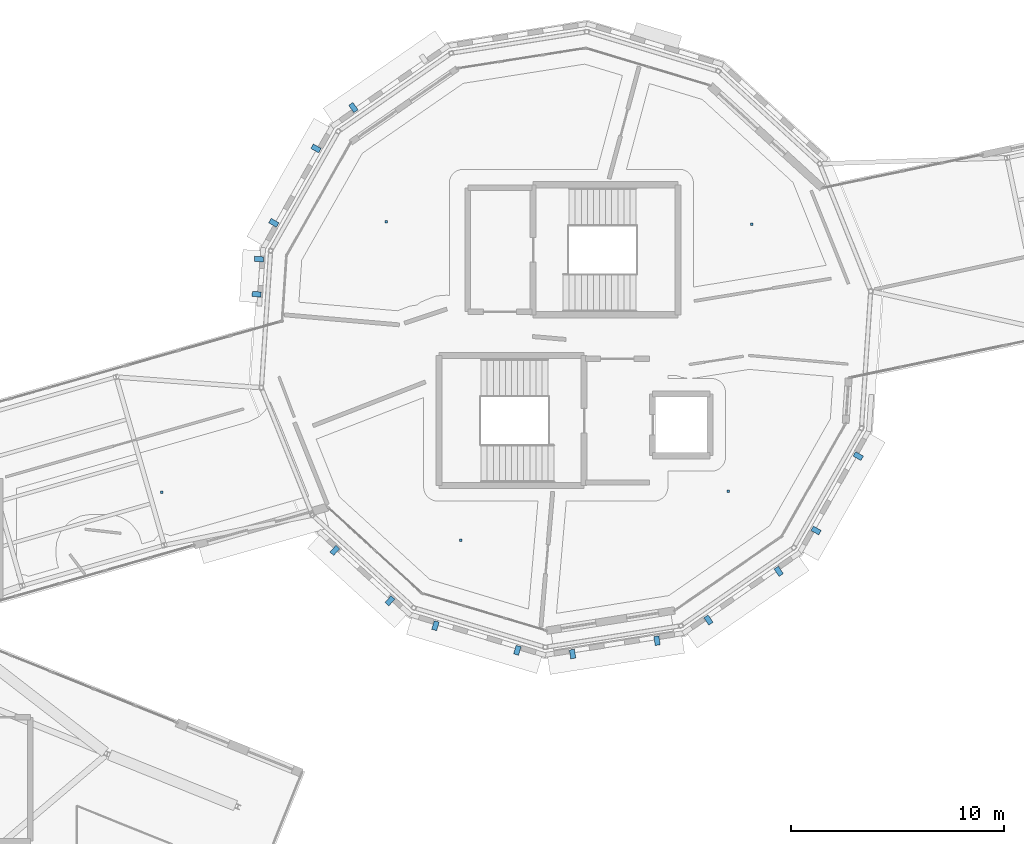
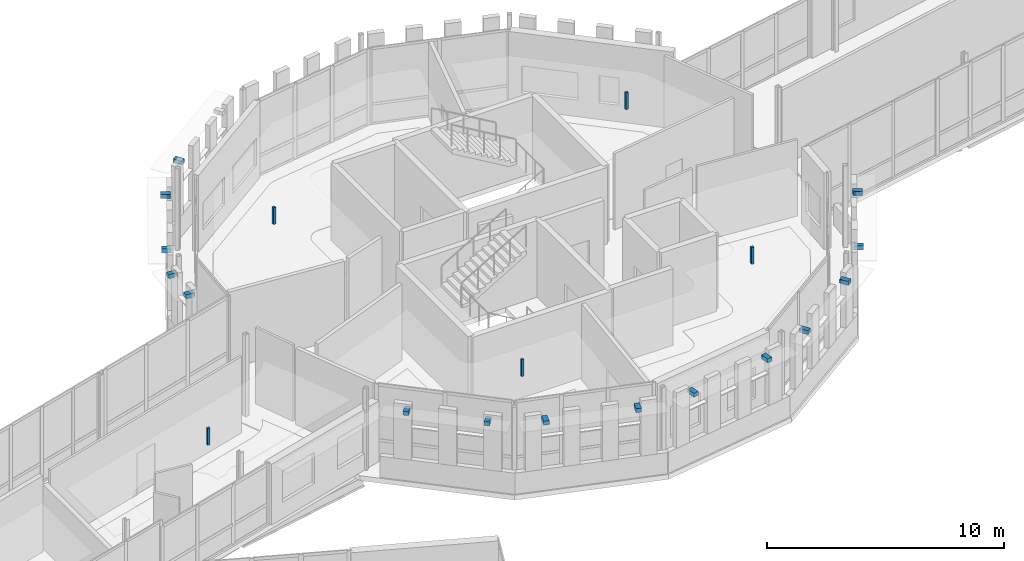
# One storey, part 110 of 125: 20 discrete accessories.
"""IFC4 building model written with IfcOpenShell, lengths in metres."""

import ifcopenshell
import ifcopenshell.guid

model = None  # the IFC model being written
_history = None  # IfcOwnerHistory: only IFC2X3 demands one
_inside = {}  # id of a spatial element -> (the spatial element, [elements in it])
_under = {}  # id of a project, library or spatial element -> (it, [spatial elements below it])
_declared = {}  # id of a project -> (the project, [libraries it declares])
_typed = {}  # id of a type object -> (the type object, [elements of that type])
_made_of = {}  # id of a material, layer set ... -> (it, [elements and type objects made of it])


def new_model(schema):
    """Start an empty IFC model of exactly this schema.

    Asked for "IFC4X3", IfcOpenShell would pick the latest addendum, in which some entities
    have other attributes; the version numbers below select the first issue.
    IFC2X3 requires an IfcOwnerHistory on every rooted entity: one is made here for all.
    """
    global model, _history
    if schema == "IFC4X3":
        model = ifcopenshell.file(schema_version=(4, 3, 0, 0))
    else:
        model = ifcopenshell.file(schema=schema)
    _inside.clear()
    _under.clear()
    _declared.clear()
    _typed.clear()
    _made_of.clear()
    _history = None
    if model.schema == "IFC2X3":
        org = make("IfcOrganization", Name="unknown")
        user = make(
            "IfcPersonAndOrganization",
            ThePerson=make("IfcPerson", FamilyName="unknown"),
            TheOrganization=org,
        )
        app = make(
            "IfcApplication",
            ApplicationDeveloper=org,
            Version="unknown",
            ApplicationFullName="unknown",
            ApplicationIdentifier="unknown",
        )
        _history = make(
            "IfcOwnerHistory",
            OwningUser=user,
            OwningApplication=app,
            ChangeAction="ADDED",
            CreationDate=0,
        )
    return model


def make(cls, **values):
    """One entity of the class cls with the attributes given. An attribute that is None is left unset."""
    return model.create_entity(
        cls, **{name: value for name, value in values.items() if value is not None}
    )


def rooted(cls, **values):
    """An entity with a GlobalId (a new one), such as an element, a storey or a relation."""
    return make(cls, GlobalId=ifcopenshell.guid.new(), OwnerHistory=_history, **values)


def si_unit(unit_type, name, prefix=None):
    """IfcSIUnit, for example si_unit("LENGTHUNIT", "METRE", prefix="MILLI")."""
    return make("IfcSIUnit", UnitType=unit_type, Prefix=prefix, Name=name)


def assignment(units):
    """IfcUnitAssignment: the units of a project."""
    return None if units is None else make("IfcUnitAssignment", Units=units)


def point(xyz):
    """IfcCartesianPoint."""
    return None if xyz is None else make("IfcCartesianPoint", Coordinates=xyz)


def direction(xyz):
    """IfcDirection."""
    return None if xyz is None else make("IfcDirection", DirectionRatios=xyz)


def frame(location, z_axis=None, x_axis=None):
    """IfcAxis2Placement3D, a coordinate frame: its origin and axes. An axis left out is left unset."""
    return make(
        "IfcAxis2Placement3D",
        Location=point(location),
        Axis=direction(z_axis),
        RefDirection=direction(x_axis),
    )


def frame_2d(location, x_axis=None):
    """IfcAxis2Placement2D, a coordinate frame in the plane: its origin and x axis."""
    return make(
        "IfcAxis2Placement2D", Location=point(location), RefDirection=direction(x_axis)
    )


def origin():
    """The frame at (0, 0, 0) with its axes left unset."""
    return frame((0.0, 0.0, 0.0))


def origin_2d():
    """The frame at (0, 0) in the plane with its x axis left unset."""
    return frame_2d((0.0, 0.0))


def place(relative_to, where):
    """IfcLocalPlacement: puts the frame where relative to a parent placement (None: the world)."""
    return make(
        "IfcLocalPlacement", PlacementRelTo=relative_to, RelativePlacement=where
    )


def context(
    kind, dimensions, precision=None, world=None, true_north=None, identifier=None
):
    """IfcGeometricRepresentationContext, for example the 3D "Model" context."""
    return make(
        "IfcGeometricRepresentationContext",
        ContextIdentifier=identifier,
        ContextType=kind,
        CoordinateSpaceDimension=dimensions,
        Precision=precision,
        WorldCoordinateSystem=world,
        TrueNorth=true_north,
    )


def subcontext(parent, identifier, kind, view, scale=None):
    """IfcGeometricRepresentationSubContext, for example "Body" below "Model"."""
    return make(
        "IfcGeometricRepresentationSubContext",
        ContextIdentifier=identifier,
        ContextType=kind,
        ParentContext=parent,
        TargetScale=scale,
        TargetView=view,
    )


def project(units=None, contexts=None):
    """IfcProject with its units and contexts."""
    return rooted(
        "IfcProject",
        Name="project",
        RepresentationContexts=contexts,
        UnitsInContext=assignment(units),
    )


def spatial(cls, under=None, at=None, **own):
    """A site, building, storey or space (cls), placed at a placement, below another one or the project."""
    s = rooted(cls, ObjectPlacement=at, **own)
    if under is not None:
        _under.setdefault(under.id(), (under, []))[1].append(s)
    return s


def profile(cls, at=None, kind="AREA", **sizes):
    """A parametric profile (cls). Its sizes go by their IFC names, for example OverallWidth=200.0."""
    return make(cls, ProfileType=kind, Position=at, **sizes)


def rectangle(**sizes):
    """IfcRectangleProfileDef."""
    return profile("IfcRectangleProfileDef", **sizes)


def extrude(swept, where, along, depth):
    """IfcExtrudedAreaSolid: the profile swept, set in the frame where, extruded along a direction by depth."""
    return make(
        "IfcExtrudedAreaSolid",
        SweptArea=swept,
        Position=where,
        ExtrudedDirection=direction(along),
        Depth=depth,
    )


def shape(context_of_items, identifier, shape_type, items):
    """IfcShapeRepresentation: the items that make up one representation, for example the "Body"."""
    return make(
        "IfcShapeRepresentation",
        ContextOfItems=context_of_items,
        RepresentationIdentifier=identifier,
        RepresentationType=shape_type,
        Items=items,
    )


def material(Name=None, Category=None):
    """IfcMaterial."""
    return make("IfcMaterial", Name=Name, Category=Category)


def made_of(thing, what):
    """Note that an element or type object is made of a material, layer set ...; save() writes the relation."""
    if what is not None:
        _made_of.setdefault(what.id(), (what, []))[1].append(thing)
    return thing


def type_object(cls, material=None, **own):
    """A type object (cls), such as IfcWallType, which elements share."""
    return made_of(rooted(cls, **own), material)


def element(
    cls,
    number,
    at=None,
    inside=None,
    cuts=None,
    type_object=None,
    material=None,
    context=None,
    identifier="Body",
    shape_type=None,
    held_by="IfcProductDefinitionShape",
    body=None,
    shapes=None,
    **own,
):
    """One element of the class cls, such as IfcWall. Its Tag is "e" and its number.

    at: its placement. inside: the storey or other place that contains it. cuts: it is an
    opening in that element (IfcRelVoidsElement). A single representation is given by context,
    identifier, shape_type and body (its items); several are given by shapes. held_by: the class
    of the entity that holds the representations. save() writes the other relations.
    """
    e = rooted(cls, Tag="e%d" % number, ObjectPlacement=at, **own)
    if body is not None:
        shapes = [shape(context, identifier, shape_type, body)]
    if shapes is not None:
        e.Representation = make(held_by, Representations=shapes)
    if inside is not None:
        _inside.setdefault(inside.id(), (inside, []))[1].append(e)
    if cuts is not None:
        rooted(
            "IfcRelVoidsElement", RelatingBuildingElement=cuts, RelatedOpeningElement=e
        )
    if type_object is not None:
        _typed.setdefault(type_object.id(), (type_object, []))[1].append(e)
    return made_of(e, material)


def aggregate(whole, parts):
    """IfcRelAggregates: a whole, such as a stair, and the parts it consists of."""
    return rooted("IfcRelAggregates", RelatingObject=whole, RelatedObjects=parts)


def save(model, path):
    """Write the relations noted so far, then the file.

    IfcRelAggregates (storeys below a building ...), IfcRelContainedInSpatialStructure (elements
    in a storey), IfcRelDefinesByType, IfcRelAssociatesMaterial and IfcRelDeclares: one each for
    every whole, place, type object, material and project.
    """
    for whole, parts in _under.values():
        aggregate(whole, parts)
    for where, things in _inside.values():
        rooted(
            "IfcRelContainedInSpatialStructure",
            RelatedElements=things,
            RelatingStructure=where,
        )
    for kind, things in _typed.values():
        rooted("IfcRelDefinesByType", RelatedObjects=things, RelatingType=kind)
    for what, things in _made_of.values():
        rooted("IfcRelAssociatesMaterial", RelatedObjects=things, RelatingMaterial=what)
    for by, libraries in _declared.values():
        rooted("IfcRelDeclares", RelatingContext=by, RelatedDefinitions=libraries)
    model.write(path)


model = new_model("IFC4")

# Units and contexts
model_context = context("Model", 3, precision=1e-05, world=origin(), true_north=direction((0.0, 1.0)))
body_context = subcontext(model_context, "Body", "Model", "MODEL_VIEW")
ifc_project = project(units=[si_unit("LENGTHUNIT", "METRE"), si_unit("AREAUNIT", "SQUARE_METRE"), si_unit("VOLUMEUNIT", "CUBIC_METRE"), si_unit("PLANEANGLEUNIT", "RADIAN"), si_unit("MASSUNIT", "GRAM", prefix="KILO")], contexts=[model_context])

# Site, building, storey
site_placement = place(None, origin())
site = spatial("IfcSite", under=ifc_project, at=site_placement, CompositionType="ELEMENT")
building_placement = place(site_placement, origin())
building = spatial("IfcBuilding", under=site, at=building_placement, Name="Wrenclough Park School", CompositionType="ELEMENT")
storey_placement = place(building_placement, frame((0.0, 0.0, 4.199951171875)))
storey = spatial("IfcBuildingStorey", under=building, at=storey_placement, Name="L01", CompositionType="ELEMENT", Elevation=4.199951171875)

# Discrete accessories
ifc_material_1 = material(Name="Austenitic stainless steel Grade 1.4401", Category="steel")
discrete_accessory_type_1 = type_object("IfcDiscreteAccessoryType", Name="ENV-BRK-01", PredefinedType="BRACKET", material=ifc_material_1)
for number, where, z_axis, x_axis, name in (
    (1, (73.037109375, 119.364013671875, 3.5400390625), (0.0, 0.0, 1.0), (-0.8220077158, -0.569476351718, 0.0), "Brise-soleil stainless outrigger bracket 0050"),
    (2, (71.28662109375, 117.448974609375, 3.5400390625), (0.0, 0.0, 1.0), (-0.493508752009, -0.869740830185, 0.0), "Brise-soleil stainless outrigger bracket 0051"),
    (3, (69.31005859375, 113.96533203125, 3.5400390625), (0.0, 0.0, 1.0), (-0.493508752009, -0.869740830185, 0.0), "Brise-soleil stainless outrigger bracket 0052"),
    (4, (68.61669921875, 112.2646484375, 3.5400390625), (0.0, 0.0, 1.0), (-0.067258571961, -0.997735578446, 0.0), "Brise-soleil stainless outrigger bracket 0053"),
    (5, (68.505859375, 110.62060546875, 3.5400390625), (0.0, 0.0, 1.0), (-0.067258571961, -0.997735578446, 0.0), "Brise-soleil stainless outrigger bracket 0054"),
    (6, (72.1669921875, 98.616455078125, 3.5400390625), (0.0, 0.0, 1.0), (0.738123462925, -0.674665660516, 0.0), "Brise-soleil stainless outrigger bracket 0055"),
    (7, (74.75, 96.255615234375, 3.5400390625), (0.0, 0.0, 1.0), (0.738123462925, -0.674665660516, 0.0), "Brise-soleil stainless outrigger bracket 0056"),
    (8, (76.8818359375, 95.089111328125, 3.5400390625), (0.0, 0.0, 1.0), (0.957751215921, -0.287597997911, 0.0), "Brise-soleil stainless outrigger bracket 0057"),
    (9, (80.718017578125, 93.93701171875, 3.5400390625), (0.0, 0.0, 1.0), (0.957751215921, -0.287597997911, 0.0), "Brise-soleil stainless outrigger bracket 0058"),
    (10, (83.306396484375, 93.7626953125, 3.5400390625), (0.0, 0.0, 1.0), (0.98768815471, 0.156435638666, 0.0), "Brise-soleil stainless outrigger bracket 0059"),
    (11, (87.262451171875, 94.38916015625, 3.5400390625), (0.0, 0.0, 1.0), (0.98768815471, 0.156435638666, 0.0), "Brise-soleil stainless outrigger bracket 0060"),
    (12, (89.67041015625, 95.35498046875, 3.5400390625), (0.0, 0.0, 1.0), (0.8220077158, 0.569476351718, 0.0), "Brise-soleil stainless outrigger bracket 0061"),
    (13, (92.962890625, 97.635986328125, 3.5400390625), (0.0, 0.0, 1.0), (0.8220077158, 0.569476351718, 0.0), "Brise-soleil stainless outrigger bracket 0062"),
    (14, (94.71337890625, 99.551025390625, 3.5400390625), (0.0, 0.0, 1.0), (0.493508752009, 0.869740830185, 0.0), "Brise-soleil stainless outrigger bracket 0063"),
    (15, (96.68994140625, 103.03466796875, 3.5400390625), (0.0, 0.0, 1.0), (0.493508752009, 0.869740830185, 0.0), "Brise-soleil stainless outrigger bracket 0064"),
):
    element("IfcDiscreteAccessory", number, at=place(storey_placement, frame(where, z_axis=z_axis, x_axis=x_axis)), inside=storey, type_object=discrete_accessory_type_1, Name=name, PredefinedType="BRACKET", context=body_context, shape_type="SweptSolid", body=[
        extrude(rectangle(XDim=0.239990234375, YDim=0.419921875, at=origin_2d()), origin(), (0.0, 0.0, 1.0), 0.199951171875),
    ])
ifc_material_2 = material(Name="Galvanised steel acoustic ceiling suspension hanger", Category="steel")
discrete_accessory_type_2 = type_object("IfcDiscreteAccessoryType", Name="INT-BRK-HGR", PredefinedType="BRACKET", material=ifc_material_2)
for number, where, z_axis, x_axis, name in (
    (16, (74.5849609375, 114.01904296875, 3.08984375), (0.0, 0.0, 1.0), (1.0, 0.0, 0.0), "Acoustic ceiling hanger bracket 0030"),
    (17, (78.0673828125, 99.093017578125, 3.08984375), (0.0, 0.0, 1.0), (1.0, 0.0, 0.0), "Acoustic ceiling hanger bracket 0031"),
    (18, (90.598876953125, 101.39208984375, 3.08984375), (0.0, 0.0, 1.0), (1.0, 0.0, 0.0), "Acoustic ceiling hanger bracket 0032"),
    (19, (91.692626953125, 113.89697265625, 3.08984375), (0.0, 0.0, 1.0), (1.0, 0.0, 0.0), "Acoustic ceiling hanger bracket 0033"),
    (20, (64.064697265625, 101.3427734375, 3.08984375), (0.0, 0.0, 1.0), (1.0, 0.0, 0.0), "Acoustic ceiling hanger bracket 0041"),
):
    element("IfcDiscreteAccessory", number, at=place(storey_placement, frame(where, z_axis=z_axis, x_axis=x_axis)), inside=storey, type_object=discrete_accessory_type_2, Name=name, PredefinedType="BRACKET", context=body_context, shape_type="SweptSolid", body=[
        extrude(rectangle(XDim=0.1201171875, YDim=0.1201171875, at=origin_2d()), origin(), (0.0, 0.0, 1.0), 0.864990234375),
    ])

save(model, "model.ifc")
